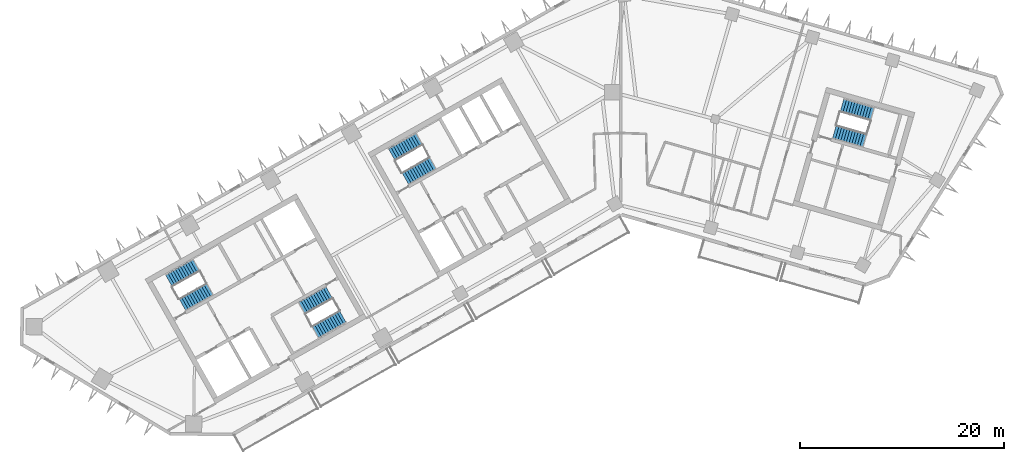
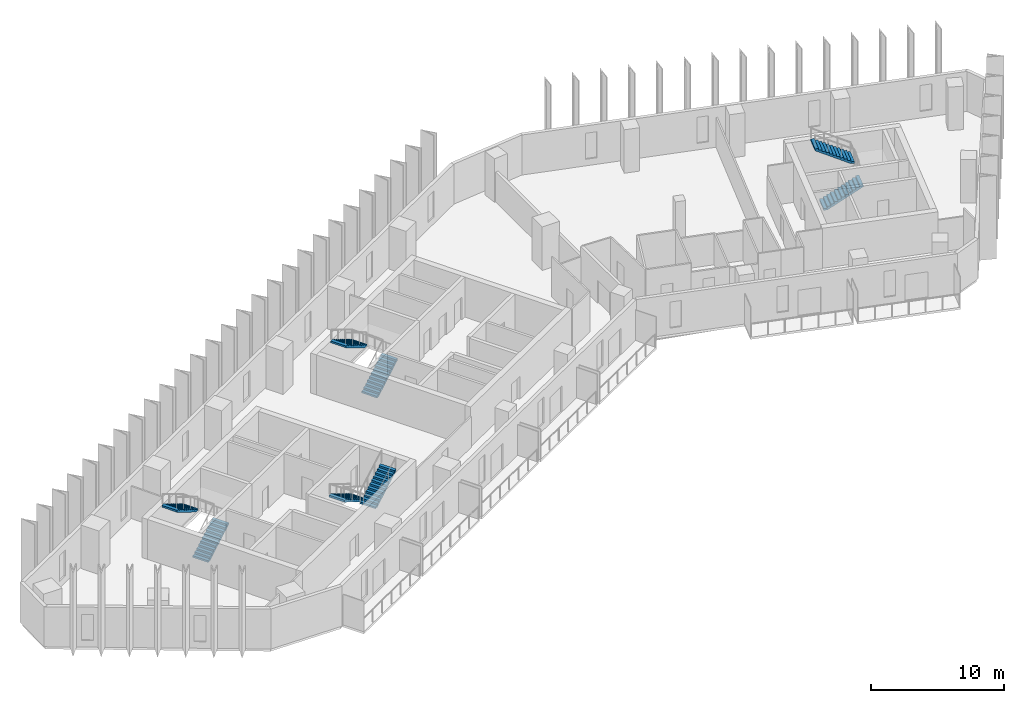
# One storey, part 7 of 10: 8 stair flights, 4 elements without a shape of their own.
"""IFC4 building model written with IfcOpenShell, lengths in metres."""

import ifcopenshell
import ifcopenshell.guid

model = None  # the IFC model being written
_history = None  # IfcOwnerHistory: only IFC2X3 demands one
_inside = {}  # id of a spatial element -> (the spatial element, [elements in it])
_under = {}  # id of a project, library or spatial element -> (it, [spatial elements below it])
_declared = {}  # id of a project -> (the project, [libraries it declares])
_typed = {}  # id of a type object -> (the type object, [elements of that type])
_made_of = {}  # id of a material, layer set ... -> (it, [elements and type objects made of it])


def new_model(schema):
    """Start an empty IFC model of exactly this schema.

    Asked for "IFC4X3", IfcOpenShell would pick the latest addendum, in which some entities
    have other attributes; the version numbers below select the first issue.
    IFC2X3 requires an IfcOwnerHistory on every rooted entity: one is made here for all.
    """
    global model, _history
    if schema == "IFC4X3":
        model = ifcopenshell.file(schema_version=(4, 3, 0, 0))
    else:
        model = ifcopenshell.file(schema=schema)
    _inside.clear()
    _under.clear()
    _declared.clear()
    _typed.clear()
    _made_of.clear()
    _history = None
    if model.schema == "IFC2X3":
        org = make("IfcOrganization", Name="unknown")
        user = make(
            "IfcPersonAndOrganization",
            ThePerson=make("IfcPerson", FamilyName="unknown"),
            TheOrganization=org,
        )
        app = make(
            "IfcApplication",
            ApplicationDeveloper=org,
            Version="unknown",
            ApplicationFullName="unknown",
            ApplicationIdentifier="unknown",
        )
        _history = make(
            "IfcOwnerHistory",
            OwningUser=user,
            OwningApplication=app,
            ChangeAction="ADDED",
            CreationDate=0,
        )
    return model


def make(cls, **values):
    """One entity of the class cls with the attributes given. An attribute that is None is left unset."""
    return model.create_entity(
        cls, **{name: value for name, value in values.items() if value is not None}
    )


def rooted(cls, **values):
    """An entity with a GlobalId (a new one), such as an element, a storey or a relation."""
    return make(cls, GlobalId=ifcopenshell.guid.new(), OwnerHistory=_history, **values)


def si_unit(unit_type, name, prefix=None):
    """IfcSIUnit, for example si_unit("LENGTHUNIT", "METRE", prefix="MILLI")."""
    return make("IfcSIUnit", UnitType=unit_type, Prefix=prefix, Name=name)


def assignment(units):
    """IfcUnitAssignment: the units of a project."""
    return None if units is None else make("IfcUnitAssignment", Units=units)


def point(xyz):
    """IfcCartesianPoint."""
    return None if xyz is None else make("IfcCartesianPoint", Coordinates=xyz)


def direction(xyz):
    """IfcDirection."""
    return None if xyz is None else make("IfcDirection", DirectionRatios=xyz)


def frame(location, z_axis=None, x_axis=None):
    """IfcAxis2Placement3D, a coordinate frame: its origin and axes. An axis left out is left unset."""
    return make(
        "IfcAxis2Placement3D",
        Location=point(location),
        Axis=direction(z_axis),
        RefDirection=direction(x_axis),
    )


def origin():
    """The frame at (0, 0, 0) with its axes left unset."""
    return frame((0.0, 0.0, 0.0))


def place(relative_to, where):
    """IfcLocalPlacement: puts the frame where relative to a parent placement (None: the world)."""
    return make(
        "IfcLocalPlacement", PlacementRelTo=relative_to, RelativePlacement=where
    )


def context(
    kind, dimensions, precision=None, world=None, true_north=None, identifier=None
):
    """IfcGeometricRepresentationContext, for example the 3D "Model" context."""
    return make(
        "IfcGeometricRepresentationContext",
        ContextIdentifier=identifier,
        ContextType=kind,
        CoordinateSpaceDimension=dimensions,
        Precision=precision,
        WorldCoordinateSystem=world,
        TrueNorth=true_north,
    )


def subcontext(parent, identifier, kind, view, scale=None):
    """IfcGeometricRepresentationSubContext, for example "Body" below "Model"."""
    return make(
        "IfcGeometricRepresentationSubContext",
        ContextIdentifier=identifier,
        ContextType=kind,
        ParentContext=parent,
        TargetScale=scale,
        TargetView=view,
    )


def project(units=None, contexts=None):
    """IfcProject with its units and contexts."""
    return rooted(
        "IfcProject",
        Name="project",
        RepresentationContexts=contexts,
        UnitsInContext=assignment(units),
    )


def spatial(cls, under=None, at=None, **own):
    """A site, building, storey or space (cls), placed at a placement, below another one or the project."""
    s = rooted(cls, ObjectPlacement=at, **own)
    if under is not None:
        _under.setdefault(under.id(), (under, []))[1].append(s)
    return s


def polyline(points):
    """IfcPolyline through the points."""
    return make("IfcPolyline", Points=[point(p) for p in points])


def outline(outer, holes=None, kind="AREA"):
    """IfcArbitraryClosedProfileDef: a profile drawn as a closed curve; with holes, ...WithVoids."""
    if holes is None:
        return make("IfcArbitraryClosedProfileDef", ProfileType=kind, OuterCurve=outer)
    return make(
        "IfcArbitraryProfileDefWithVoids",
        ProfileType=kind,
        OuterCurve=outer,
        InnerCurves=holes,
    )


def extrude(swept, where, along, depth):
    """IfcExtrudedAreaSolid: the profile swept, set in the frame where, extruded along a direction by depth."""
    return make(
        "IfcExtrudedAreaSolid",
        SweptArea=swept,
        Position=where,
        ExtrudedDirection=direction(along),
        Depth=depth,
    )


def shape(context_of_items, identifier, shape_type, items):
    """IfcShapeRepresentation: the items that make up one representation, for example the "Body"."""
    return make(
        "IfcShapeRepresentation",
        ContextOfItems=context_of_items,
        RepresentationIdentifier=identifier,
        RepresentationType=shape_type,
        Items=items,
    )


def material(Name=None, Category=None):
    """IfcMaterial."""
    return make("IfcMaterial", Name=Name, Category=Category)


def made_of(thing, what):
    """Note that an element or type object is made of a material, layer set ...; save() writes the relation."""
    if what is not None:
        _made_of.setdefault(what.id(), (what, []))[1].append(thing)
    return thing


def type_object(cls, material=None, **own):
    """A type object (cls), such as IfcWallType, which elements share."""
    return made_of(rooted(cls, **own), material)


def element(
    cls,
    number,
    at=None,
    inside=None,
    cuts=None,
    type_object=None,
    material=None,
    context=None,
    identifier="Body",
    shape_type=None,
    held_by="IfcProductDefinitionShape",
    body=None,
    shapes=None,
    **own,
):
    """One element of the class cls, such as IfcWall. Its Tag is "e" and its number.

    at: its placement. inside: the storey or other place that contains it. cuts: it is an
    opening in that element (IfcRelVoidsElement). A single representation is given by context,
    identifier, shape_type and body (its items); several are given by shapes. held_by: the class
    of the entity that holds the representations. save() writes the other relations.
    """
    e = rooted(cls, Tag="e%d" % number, ObjectPlacement=at, **own)
    if body is not None:
        shapes = [shape(context, identifier, shape_type, body)]
    if shapes is not None:
        e.Representation = make(held_by, Representations=shapes)
    if inside is not None:
        _inside.setdefault(inside.id(), (inside, []))[1].append(e)
    if cuts is not None:
        rooted(
            "IfcRelVoidsElement", RelatingBuildingElement=cuts, RelatedOpeningElement=e
        )
    if type_object is not None:
        _typed.setdefault(type_object.id(), (type_object, []))[1].append(e)
    return made_of(e, material)


def aggregate(whole, parts):
    """IfcRelAggregates: a whole, such as a stair, and the parts it consists of."""
    return rooted("IfcRelAggregates", RelatingObject=whole, RelatedObjects=parts)


def save(model, path):
    """Write the relations noted so far, then the file.

    IfcRelAggregates (storeys below a building ...), IfcRelContainedInSpatialStructure (elements
    in a storey), IfcRelDefinesByType, IfcRelAssociatesMaterial and IfcRelDeclares: one each for
    every whole, place, type object, material and project.
    """
    for whole, parts in _under.values():
        aggregate(whole, parts)
    for where, things in _inside.values():
        rooted(
            "IfcRelContainedInSpatialStructure",
            RelatedElements=things,
            RelatingStructure=where,
        )
    for kind, things in _typed.values():
        rooted("IfcRelDefinesByType", RelatedObjects=things, RelatingType=kind)
    for what, things in _made_of.values():
        rooted("IfcRelAssociatesMaterial", RelatedObjects=things, RelatingMaterial=what)
    for by, libraries in _declared.values():
        rooted("IfcRelDeclares", RelatingContext=by, RelatedDefinitions=libraries)
    model.write(path)


model = new_model("IFC4")

# Units and contexts
model_context = context("Model", 3, precision=1e-05, world=origin(), true_north=direction((0.0, 1.0)))
body_context = subcontext(model_context, "Body", "Model", "MODEL_VIEW")
ifc_project = project(units=[si_unit("LENGTHUNIT", "METRE"), si_unit("AREAUNIT", "SQUARE_METRE"), si_unit("VOLUMEUNIT", "CUBIC_METRE"), si_unit("PLANEANGLEUNIT", "RADIAN"), si_unit("MASSUNIT", "GRAM", prefix="KILO")], contexts=[model_context])

# Site, building, storey
site_placement = place(None, origin())
site = spatial("IfcSite", under=ifc_project, at=site_placement, CompositionType="ELEMENT")
building_placement = place(site_placement, origin())
building = spatial("IfcBuilding", under=site, at=building_placement, Name="Binnacle Exchange Tower", CompositionType="ELEMENT")
storey_placement = place(building_placement, frame((0.0, 0.0, 170.89990234375)))
storey = spatial("IfcBuildingStorey", under=building, at=storey_placement, Name="L36", CompositionType="ELEMENT", Elevation=170.89990234375)

# Stair, stair flights
ifc_material = material(Name="Concrete C35/45", Category="concrete")
stair_type = type_object("IfcStairType", Name="STAIR 24 RISERS 167", PredefinedType="HALF_TURN_STAIR", material=ifc_material)
stair_1_placement = place(storey_placement, origin())
stair_1 = element("IfcStair", 1, at=stair_1_placement, inside=storey, type_object=stair_type, Name="L36 Escape stair A1", PredefinedType="HALF_TURN_STAIR")
stair_flight_type = type_object("IfcStairFlightType", Name="STAIR FLIGHT 167X280", PredefinedType="STRAIGHT", material=ifc_material)
stair_flight_1_placement = place(storey_placement, frame((-42.9541015625, 39.17333984375, 0.0), z_axis=(0.0, 0.0, 1.0), x_axis=(0.870355584213, 0.492423757581, 0.0)))
stair_flight_1 = element("IfcStairFlight", 2, at=stair_flight_1_placement, type_object=stair_flight_type, Name="STA1 flight 1", NumberOfRisers=12, NumberOfTreads=11, PredefinedType="STRAIGHT", RiserHeight=0.166666667, TreadLength=0.28, context=body_context, shape_type="SweptSolid", body=[
    extrude(outline(polyline([(0.0, 0.0), (0.0, 0.166748046875), (0.280029296875, 0.166748046875), (0.280029296875, 0.333251953125), (0.56005859375, 0.333251953125), (0.56005859375, 0.5), (0.840087890625, 0.5), (0.840087890625, 0.666748046875), (1.1201171875, 0.666748046875), (1.1201171875, 0.833251953125), (1.39990234375, 0.833251953125), (1.39990234375, 1.0), (1.679931640625, 1.0), (1.679931640625, 1.166748046875), (1.9599609375, 1.166748046875), (1.9599609375, 1.333251953125), (2.239990234375, 1.333251953125), (2.239990234375, 1.5), (2.52001953125, 1.5), (2.52001953125, 1.666748046875), (2.800048828125, 1.666748046875), (2.800048828125, 1.833251953125), (3.080078125, 1.833251953125), (3.080078125, 2.0), (3.080078125, 1.658935546875), (0.29296875, 0.0), (0.0, 0.0)])), frame((0.0, 0.675048828125, 0.0), z_axis=(0.0, -1.0, 0.0), x_axis=(1.0, 0.0, 0.0)), (0.0, 0.0, 1.0), 1.35009765625),
])
stair_flight_2_placement = place(storey_placement, frame((-41.602783203125, 43.0400390625, 2.0), z_axis=(0.0, 0.0, 1.0), x_axis=(-0.870355584213, -0.492423757581, 0.0)))
stair_flight_2 = element("IfcStairFlight", 3, at=stair_flight_2_placement, type_object=stair_flight_type, Name="STA1 flight 2", NumberOfRisers=12, NumberOfTreads=11, PredefinedType="STRAIGHT", RiserHeight=0.166666667, TreadLength=0.28, context=body_context, shape_type="SweptSolid", body=[
    extrude(outline(polyline([(0.0, 0.0), (0.0, 0.166748046875), (0.280029296875, 0.166748046875), (0.280029296875, 0.333251953125), (0.56005859375, 0.333251953125), (0.56005859375, 0.5), (0.840087890625, 0.5), (0.840087890625, 0.666748046875), (1.1201171875, 0.666748046875), (1.1201171875, 0.833251953125), (1.39990234375, 0.833251953125), (1.39990234375, 1.0), (1.679931640625, 1.0), (1.679931640625, 1.166748046875), (1.9599609375, 1.166748046875), (1.9599609375, 1.333251953125), (2.239990234375, 1.333251953125), (2.239990234375, 1.5), (2.52001953125, 1.5), (2.52001953125, 1.666748046875), (2.800048828125, 1.666748046875), (2.800048828125, 1.833251953125), (3.080078125, 1.833251953125), (3.080078125, 2.0), (3.080078125, 1.658935546875), (0.29296875, 0.0), (0.0, 0.0)])), frame((0.0, 0.675048828125, 0.0), z_axis=(0.0, -1.0, 0.0), x_axis=(1.0, 0.0, 0.0)), (0.0, 0.0, 1.0), 1.35009765625),
])
aggregate(stair_1, [stair_flight_1, stair_flight_2])

stair_2_placement = place(storey_placement, origin())
stair_2 = element("IfcStair", 4, at=stair_2_placement, inside=storey, type_object=stair_type, Name="L36 Escape stair A2", PredefinedType="HALF_TURN_STAIR")
stair_flight_3_placement = place(storey_placement, frame((-28.5732421875, 40.3583984375, 0.0), z_axis=(0.0, 0.0, 1.0), x_axis=(-0.870355584213, -0.492423757581, 0.0)))
stair_flight_3 = element("IfcStairFlight", 5, at=stair_flight_3_placement, type_object=stair_flight_type, Name="STA2 flight 1", NumberOfRisers=12, NumberOfTreads=11, PredefinedType="STRAIGHT", RiserHeight=0.166666667, TreadLength=0.28, context=body_context, shape_type="SweptSolid", body=[
    extrude(outline(polyline([(0.0, 0.0), (0.0, 0.166748046875), (0.280029296875, 0.166748046875), (0.280029296875, 0.333251953125), (0.56005859375, 0.333251953125), (0.56005859375, 0.5), (0.840087890625, 0.5), (0.840087890625, 0.666748046875), (1.1201171875, 0.666748046875), (1.1201171875, 0.833251953125), (1.39990234375, 0.833251953125), (1.39990234375, 1.0), (1.679931640625, 1.0), (1.679931640625, 1.166748046875), (1.9599609375, 1.166748046875), (1.9599609375, 1.333251953125), (2.239990234375, 1.333251953125), (2.239990234375, 1.5), (2.52001953125, 1.5), (2.52001953125, 1.666748046875), (2.800048828125, 1.666748046875), (2.800048828125, 1.833251953125), (3.080078125, 1.833251953125), (3.080078125, 2.0), (3.080078125, 1.658935546875), (0.29296875, 0.0), (0.0, 0.0)])), frame((0.0, 0.675048828125, 0.0), z_axis=(0.0, -1.0, 0.0), x_axis=(1.0, 0.0, 0.0)), (0.0, 0.0, 1.0), 1.35009765625),
])
stair_flight_4_placement = place(storey_placement, frame((-29.92431640625, 36.49169921875, 2.0), z_axis=(0.0, 0.0, 1.0), x_axis=(0.870355584213, 0.492423757581, 0.0)))
stair_flight_4 = element("IfcStairFlight", 6, at=stair_flight_4_placement, type_object=stair_flight_type, Name="STA2 flight 2", NumberOfRisers=12, NumberOfTreads=11, PredefinedType="STRAIGHT", RiserHeight=0.166666667, TreadLength=0.28, context=body_context, shape_type="SweptSolid", body=[
    extrude(outline(polyline([(0.0, 0.0), (0.0, 0.166748046875), (0.280029296875, 0.166748046875), (0.280029296875, 0.333251953125), (0.56005859375, 0.333251953125), (0.56005859375, 0.5), (0.840087890625, 0.5), (0.840087890625, 0.666748046875), (1.1201171875, 0.666748046875), (1.1201171875, 0.833251953125), (1.39990234375, 0.833251953125), (1.39990234375, 1.0), (1.679931640625, 1.0), (1.679931640625, 1.166748046875), (1.9599609375, 1.166748046875), (1.9599609375, 1.333251953125), (2.239990234375, 1.333251953125), (2.239990234375, 1.5), (2.52001953125, 1.5), (2.52001953125, 1.666748046875), (2.800048828125, 1.666748046875), (2.800048828125, 1.833251953125), (3.080078125, 1.833251953125), (3.080078125, 2.0), (3.080078125, 1.658935546875), (0.29296875, 0.0), (0.0, 0.0)])), frame((0.0, 0.675048828125, 0.0), z_axis=(0.0, -1.0, 0.0), x_axis=(1.0, 0.0, 0.0)), (0.0, 0.0, 1.0), 1.35009765625),
])
aggregate(stair_2, [stair_flight_3, stair_flight_4])

stair_3_placement = place(storey_placement, origin())
stair_3 = element("IfcStair", 7, at=stair_3_placement, inside=storey, type_object=stair_type, Name="L36 Escape stair C1", PredefinedType="HALF_TURN_STAIR")
stair_flight_5_placement = place(storey_placement, frame((-21.115966796875, 51.528564453125, 0.0), z_axis=(0.0, 0.0, 1.0), x_axis=(0.870355584213, 0.492423757581, 0.0)))
stair_flight_5 = element("IfcStairFlight", 8, at=stair_flight_5_placement, type_object=stair_flight_type, Name="STC1 flight 1", NumberOfRisers=12, NumberOfTreads=11, PredefinedType="STRAIGHT", RiserHeight=0.166666667, TreadLength=0.28, context=body_context, shape_type="SweptSolid", body=[
    extrude(outline(polyline([(0.0, 0.0), (0.0, 0.166748046875), (0.280029296875, 0.166748046875), (0.280029296875, 0.333251953125), (0.56005859375, 0.333251953125), (0.56005859375, 0.5), (0.840087890625, 0.5), (0.840087890625, 0.666748046875), (1.1201171875, 0.666748046875), (1.1201171875, 0.833251953125), (1.39990234375, 0.833251953125), (1.39990234375, 1.0), (1.679931640625, 1.0), (1.679931640625, 1.166748046875), (1.9599609375, 1.166748046875), (1.9599609375, 1.333251953125), (2.239990234375, 1.333251953125), (2.239990234375, 1.5), (2.52001953125, 1.5), (2.52001953125, 1.666748046875), (2.800048828125, 1.666748046875), (2.800048828125, 1.833251953125), (3.080078125, 1.833251953125), (3.080078125, 2.0), (3.080078125, 1.658935546875), (0.29296875, 0.0), (0.0, 0.0)])), frame((0.0, 0.675048828125, 0.0), z_axis=(0.0, -1.0, 0.0), x_axis=(1.0, 0.0, 0.0)), (0.0, 0.0, 1.0), 1.35009765625),
])
stair_flight_6_placement = place(storey_placement, frame((-19.764892578125, 55.395263671875, 2.0), z_axis=(0.0, 0.0, 1.0), x_axis=(-0.870355584213, -0.492423757581, 0.0)))
stair_flight_6 = element("IfcStairFlight", 9, at=stair_flight_6_placement, type_object=stair_flight_type, Name="STC1 flight 2", NumberOfRisers=12, NumberOfTreads=11, PredefinedType="STRAIGHT", RiserHeight=0.166666667, TreadLength=0.28, context=body_context, shape_type="SweptSolid", body=[
    extrude(outline(polyline([(0.0, 0.0), (0.0, 0.166748046875), (0.280029296875, 0.166748046875), (0.280029296875, 0.333251953125), (0.56005859375, 0.333251953125), (0.56005859375, 0.5), (0.840087890625, 0.5), (0.840087890625, 0.666748046875), (1.1201171875, 0.666748046875), (1.1201171875, 0.833251953125), (1.39990234375, 0.833251953125), (1.39990234375, 1.0), (1.679931640625, 1.0), (1.679931640625, 1.166748046875), (1.9599609375, 1.166748046875), (1.9599609375, 1.333251953125), (2.239990234375, 1.333251953125), (2.239990234375, 1.5), (2.52001953125, 1.5), (2.52001953125, 1.666748046875), (2.800048828125, 1.666748046875), (2.800048828125, 1.833251953125), (3.080078125, 1.833251953125), (3.080078125, 2.0), (3.080078125, 1.658935546875), (0.29296875, 0.0), (0.0, 0.0)])), frame((0.0, 0.675048828125, 0.0), z_axis=(0.0, -1.0, 0.0), x_axis=(1.0, 0.0, 0.0)), (0.0, 0.0, 1.0), 1.35009765625),
])
aggregate(stair_3, [stair_flight_5, stair_flight_6])

stair_4_placement = place(storey_placement, origin())
stair_4 = element("IfcStair", 10, at=stair_4_placement, inside=storey, type_object=stair_type, Name="L36 Escape stair D1", PredefinedType="HALF_TURN_STAIR")
stair_flight_7_placement = place(storey_placement, frame((20.914306640625, 56.109619140625, 0.0), z_axis=(0.0, 0.0, 1.0), x_axis=(0.961261811397, -0.275636953165, 0.0)))
stair_flight_7 = element("IfcStairFlight", 11, at=stair_flight_7_placement, type_object=stair_flight_type, Name="STD1 flight 1", NumberOfRisers=12, NumberOfTreads=11, PredefinedType="STRAIGHT", RiserHeight=0.166666667, TreadLength=0.28, context=body_context, shape_type="SweptSolid", body=[
    extrude(outline(polyline([(0.0, 0.0), (0.0, 0.166748046875), (0.280029296875, 0.166748046875), (0.280029296875, 0.333251953125), (0.56005859375, 0.333251953125), (0.56005859375, 0.5), (0.840087890625, 0.5), (0.840087890625, 0.666748046875), (1.1201171875, 0.666748046875), (1.1201171875, 0.833251953125), (1.39990234375, 0.833251953125), (1.39990234375, 1.0), (1.679931640625, 1.0), (1.679931640625, 1.166748046875), (1.9599609375, 1.166748046875), (1.9599609375, 1.333251953125), (2.239990234375, 1.333251953125), (2.239990234375, 1.5), (2.52001953125, 1.5), (2.52001953125, 1.666748046875), (2.800048828125, 1.666748046875), (2.800048828125, 1.833251953125), (3.080078125, 1.833251953125), (3.080078125, 2.0), (3.080078125, 1.658935546875), (0.29296875, 0.0), (0.0, 0.0)])), frame((0.0, 0.675048828125, 0.0), z_axis=(0.0, -1.0, 0.0), x_axis=(1.0, 0.0, 0.0)), (0.0, 0.0, 1.0), 1.35009765625),
])
stair_flight_8_placement = place(storey_placement, frame((24.619384765625, 57.85595703125, 2.0), z_axis=(0.0, 0.0, 1.0), x_axis=(-0.961261811397, 0.275636953165, 0.0)))
stair_flight_8 = element("IfcStairFlight", 12, at=stair_flight_8_placement, type_object=stair_flight_type, Name="STD1 flight 2", NumberOfRisers=12, NumberOfTreads=11, PredefinedType="STRAIGHT", RiserHeight=0.166666667, TreadLength=0.28, context=body_context, shape_type="SweptSolid", body=[
    extrude(outline(polyline([(0.0, 0.0), (0.0, 0.166748046875), (0.280029296875, 0.166748046875), (0.280029296875, 0.333251953125), (0.56005859375, 0.333251953125), (0.56005859375, 0.5), (0.840087890625, 0.5), (0.840087890625, 0.666748046875), (1.1201171875, 0.666748046875), (1.1201171875, 0.833251953125), (1.39990234375, 0.833251953125), (1.39990234375, 1.0), (1.679931640625, 1.0), (1.679931640625, 1.166748046875), (1.9599609375, 1.166748046875), (1.9599609375, 1.333251953125), (2.239990234375, 1.333251953125), (2.239990234375, 1.5), (2.52001953125, 1.5), (2.52001953125, 1.666748046875), (2.800048828125, 1.666748046875), (2.800048828125, 1.833251953125), (3.080078125, 1.833251953125), (3.080078125, 2.0), (3.080078125, 1.658935546875), (0.29296875, 0.0), (0.0, 0.0)])), frame((0.0, 0.675048828125, 0.0), z_axis=(0.0, -1.0, 0.0), x_axis=(1.0, 0.0, 0.0)), (0.0, 0.0, 1.0), 1.35009765625),
])
aggregate(stair_4, [stair_flight_7, stair_flight_8])

save(model, "model.ifc")
